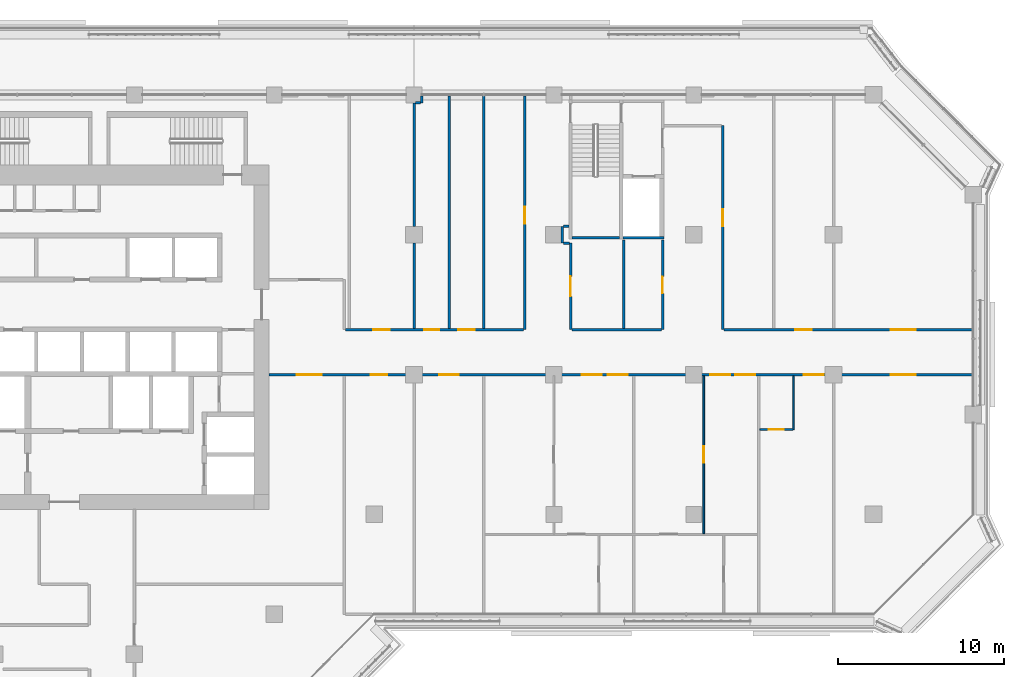
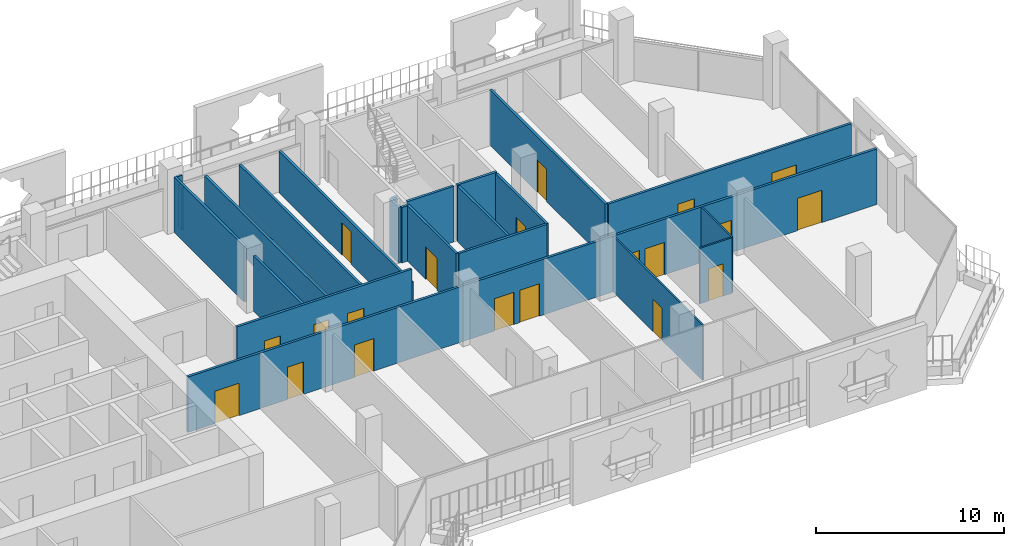
# One storey, part 13 of 22: 23 walls, 20 doors, 20 openings.
"""IFC4 building model written with IfcOpenShell, lengths in metres."""

from ifc_helpers import new_model, si_unit, direction, frame, frame_2d, origin, place, context, subcontext, project, spatial, rectangle, extrude, material, layer, layer_set, type_object, element, fill, save


model = new_model("IFC4")

# Units and contexts
model_context = context("Model", 3, precision=1e-05, world=origin(), true_north=direction((0.0, 1.0)))
body_context = subcontext(model_context, "Body", "Model", "MODEL_VIEW")
ifc_project = project(units=[si_unit("LENGTHUNIT", "METRE"), si_unit("AREAUNIT", "SQUARE_METRE"), si_unit("VOLUMEUNIT", "CUBIC_METRE"), si_unit("PLANEANGLEUNIT", "RADIAN"), si_unit("MASSUNIT", "GRAM", prefix="KILO")], contexts=[model_context])

# Site, building, storey
site_placement = place(None, origin())
site = spatial("IfcSite", under=ifc_project, at=site_placement, CompositionType="ELEMENT")
building_placement = place(site_placement, origin())
building = spatial("IfcBuilding", under=site, at=building_placement, Name="Kawkab Arch Medical Tower", CompositionType="ELEMENT")
storey_placement = place(building_placement, frame((0.0, 0.0, 183.60009765625)))
storey = spatial("IfcBuildingStorey", under=building, at=storey_placement, Name="L42", CompositionType="ELEMENT", Elevation=183.60009765625)

# Wall, opening, door
ifc_material_1 = material(Name="Gypsum board partition on steel studs", Category="steel")
ifc_layer_1 = layer(ifc_material_1, 0.10009765625)
ifc_layer_set_1 = layer_set([ifc_layer_1], Name="Gypsum board partition on steel studs")
wall_type_1 = type_object("IfcWallType", Name="Partition 100", PredefinedType="PARTITIONING", material=ifc_layer_set_1)
wall_1_placement = place(storey_placement, frame((54.375, -20.10009765625, 0.0), z_axis=(0.0, 0.0, 1.0), x_axis=(1.0, 0.0, 0.0)))
wall_1 = element("IfcWall", 1, at=wall_1_placement, inside=storey, type_object=wall_type_1, Name="Partition 100 w004", PredefinedType="PARTITIONING", context=body_context, shape_type="SweptSolid", body=[
    extrude(rectangle(XDim=1.97509765625, YDim=0.10009765625, at=frame_2d((0.987548828125, 0.0))), origin(), (0.0, 0.0, 1.0), 3.599853515625),
])
opening_1_placement = place(wall_1_placement, frame((0.52490234375, 0.0, 0.0)))
opening_1 = element("IfcOpeningElement", 2, at=opening_1_placement, cuts=wall_1, Name="Opening W42-008", PredefinedType="OPENING", context=body_context, shape_type="SweptSolid", body=[
    extrude(rectangle(XDim=0.89990234375, YDim=2.10009765625, at=frame_2d((0.449951171875, 1.050048828125))), frame((0.0, 0.06005859375, 0.0), z_axis=(0.0, -1.0, 0.0), x_axis=(1.0, 0.0, 0.0)), (0.0, 0.0, 1.0), 0.1201171875),
])
ifc_material_2 = material(Name="Timber door leaf", Category="wood")
door_type_1 = type_object("IfcDoorType", Name="Single door 900x2100", OperationType="NOTDEFINED", PredefinedType="DOOR", material=ifc_material_2)
door_1_placement = place(opening_1_placement, origin())
door_1 = element("IfcDoor", 3, at=door_1_placement, inside=storey, type_object=door_type_1, Name="Door W42-008", OperationType="SINGLE_SWING_LEFT", OverallHeight=2.10009765625, OverallWidth=0.89990234375, PredefinedType="DOOR", context=body_context, shape_type="SweptSolid", body=[
    extrude(rectangle(XDim=0.89990234375, YDim=2.10009765625, at=frame_2d((0.449951171875, 1.050048828125))), frame((0.0, 0.02490234375, 0.0), z_axis=(0.0, -1.0, 0.0), x_axis=(1.0, 0.0, 0.0)), (0.0, 0.0, 1.0), 0.050048828125),
])
fill(opening_1, door_1)

wall_2_placement = place(storey_placement, frame((51.0, -26.35009765625, 0.0), z_axis=(0.0, 0.0, 1.0), x_axis=(0.0, 1.0, 0.0)))
wall_2 = element("IfcWall", 4, at=wall_2_placement, inside=storey, type_object=wall_type_1, Name="Partition 100 w008", PredefinedType="PARTITIONING", context=body_context, shape_type="SweptSolid", body=[
    extrude(rectangle(XDim=9.47509765625, YDim=0.10009765625, at=frame_2d((4.737548828125, 0.0))), origin(), (0.0, 0.0, 1.0), 3.599853515625),
])
opening_2_placement = place(wall_2_placement, frame((4.25, 0.0, 0.0)))
opening_2 = element("IfcOpeningElement", 5, at=opening_2_placement, cuts=wall_2, Name="Opening W42-015", PredefinedType="OPENING", context=body_context, shape_type="SweptSolid", body=[
    extrude(rectangle(XDim=1.0, YDim=2.10009765625, at=frame_2d((0.5, 1.050048828125))), frame((0.0, 0.06005859375, 0.0), z_axis=(0.0, -1.0, 0.0), x_axis=(1.0, 0.0, 0.0)), (0.0, 0.0, 1.0), 0.1201171875),
])
ifc_material_3 = material(Name="Timber door leaf", Category="wood")
door_type_2 = type_object("IfcDoorType", Name="Single door 1000x2100", OperationType="NOTDEFINED", PredefinedType="DOOR", material=ifc_material_3)
door_2_placement = place(opening_2_placement, origin())
door_2 = element("IfcDoor", 6, at=door_2_placement, inside=storey, type_object=door_type_2, Name="Door W42-015", OperationType="SINGLE_SWING_RIGHT", OverallHeight=2.10009765625, OverallWidth=1.0, PredefinedType="DOOR", context=body_context, shape_type="SweptSolid", body=[
    extrude(rectangle(XDim=1.0, YDim=2.10009765625, at=frame_2d((0.5, 1.050048828125))), frame((0.0, 0.02490234375, 0.0), z_axis=(0.0, -1.0, 0.0), x_axis=(1.0, 0.0, 0.0)), (0.0, 0.0, 1.0), 0.050048828125),
])
fill(opening_2, door_2)

# Wall
wall_3_placement = place(storey_placement, frame((56.39990234375, -20.10009765625, 0.0), z_axis=(0.0, 0.0, 1.0), x_axis=(0.0, 1.0, 0.0)))
element("IfcWall", 7, at=wall_3_placement, inside=storey, type_object=wall_type_1, Name="Partition 100 w010", PredefinedType="PARTITIONING", context=body_context, shape_type="SweptSolid", body=[
    extrude(rectangle(XDim=3.22509765625, YDim=0.10009765625, at=frame_2d((1.612548828125, 0.0))), origin(), (0.0, 0.0, 1.0), 3.599853515625),
])

# Wall, openings, doors
ifc_material_4 = material(Name="Gypsum board partition on steel studs, mineral wool", Category="steel")
ifc_layer_2 = layer(ifc_material_4, 0.14990234375)
ifc_layer_set_2 = layer_set([ifc_layer_2], Name="Gypsum board partition on steel studs, mineral wool")
wall_type_2 = type_object("IfcWallType", Name="Partition 150", PredefinedType="PARTITIONING", material=ifc_layer_set_2)
wall_4_placement = place(storey_placement, frame((24.89990234375, -16.800048828125, 0.0), z_axis=(0.0, 0.0, 1.0), x_axis=(1.0, 0.0, 0.0)))
wall_4 = element("IfcWall", 8, at=wall_4_placement, inside=storey, type_object=wall_type_2, Name="Partition 150 w022", PredefinedType="PARTITIONING", context=body_context, shape_type="SweptSolid", body=[
    extrude(rectangle(XDim=42.22021484375, YDim=0.14990234375, at=frame_2d((21.110107421875, 0.0))), origin(), (0.0, 0.0, 1.0), 3.599853515625),
])
opening_3_placement = place(wall_4_placement, frame((1.64990234375, 0.0, 0.0)))
opening_3 = element("IfcOpeningElement", 9, at=opening_3_placement, cuts=wall_4, Name="Opening W42-001", PredefinedType="OPENING", context=body_context, shape_type="SweptSolid", body=[
    extrude(rectangle(XDim=1.5, YDim=2.10009765625, at=frame_2d((0.75, 1.050048828125))), frame((0.0, 0.0849609375, 0.0), z_axis=(0.0, -1.0, 0.0), x_axis=(1.0, 0.0, 0.0)), (0.0, 0.0, 1.0), 0.169921875),
])
opening_4_placement = place(wall_4_placement, frame((6.10009765625, 0.0, 0.0)))
opening_4 = element("IfcOpeningElement", 10, at=opening_4_placement, cuts=wall_4, Name="Opening W42-022", PredefinedType="OPENING", context=body_context, shape_type="SweptSolid", body=[
    extrude(rectangle(XDim=1.0, YDim=2.10009765625, at=frame_2d((0.5, 1.050048828125))), frame((0.0, 0.0849609375, 0.0), z_axis=(0.0, -1.0, 0.0), x_axis=(1.0, 0.0, 0.0)), (0.0, 0.0, 1.0), 0.169921875),
])
opening_5_placement = place(wall_4_placement, frame((10.199951171875, 0.0, 0.0)))
opening_5 = element("IfcOpeningElement", 11, at=opening_5_placement, cuts=wall_4, Name="Opening W42-028", PredefinedType="OPENING", context=body_context, shape_type="SweptSolid", body=[
    extrude(rectangle(XDim=1.199951171875, YDim=2.10009765625, at=frame_2d((0.60009765625, 1.050048828125))), frame((0.0, 0.0849609375, 0.0), z_axis=(0.0, -1.0, 0.0), x_axis=(1.0, 0.0, 0.0)), (0.0, 0.0, 1.0), 0.169921875),
])
opening_6_placement = place(wall_4_placement, frame((20.340087890625, 0.0, 0.0)))
opening_6 = element("IfcOpeningElement", 12, at=opening_6_placement, cuts=wall_4, Name="Opening W42-029", PredefinedType="OPENING", context=body_context, shape_type="SweptSolid", body=[
    extrude(rectangle(XDim=1.199951171875, YDim=2.10009765625, at=frame_2d((0.60009765625, 1.050048828125))), frame((0.0, 0.0849609375, 0.0), z_axis=(0.0, -1.0, 0.0), x_axis=(1.0, 0.0, 0.0)), (0.0, 0.0, 1.0), 0.169921875),
])
opening_7_placement = place(wall_4_placement, frame((18.780029296875, 0.0, 0.0)))
opening_7 = element("IfcOpeningElement", 13, at=opening_7_placement, cuts=wall_4, Name="Opening W42-030", PredefinedType="OPENING", context=body_context, shape_type="SweptSolid", body=[
    extrude(rectangle(XDim=1.199951171875, YDim=2.10009765625, at=frame_2d((0.60009765625, 1.050048828125))), frame((0.0, 0.0849609375, 0.0), z_axis=(0.0, -1.0, 0.0), x_axis=(1.0, 0.0, 0.0)), (0.0, 0.0, 1.0), 0.169921875),
])
opening_8_placement = place(wall_4_placement, frame((28.0, 0.0, 0.0)))
opening_8 = element("IfcOpeningElement", 14, at=opening_8_placement, cuts=wall_4, Name="Opening W42-031", PredefinedType="OPENING", context=body_context, shape_type="SweptSolid", body=[
    extrude(rectangle(XDim=1.199951171875, YDim=2.10009765625, at=frame_2d((0.60009765625, 1.050048828125))), frame((0.0, 0.0849609375, 0.0), z_axis=(0.0, -1.0, 0.0), x_axis=(1.0, 0.0, 0.0)), (0.0, 0.0, 1.0), 0.169921875),
])
opening_9_placement = place(wall_4_placement, frame((26.47998046875, 0.0, 0.0)))
opening_9 = element("IfcOpeningElement", 15, at=opening_9_placement, cuts=wall_4, Name="Opening W42-032", PredefinedType="OPENING", context=body_context, shape_type="SweptSolid", body=[
    extrude(rectangle(XDim=1.199951171875, YDim=2.10009765625, at=frame_2d((0.60009765625, 1.050048828125))), frame((0.0, 0.0849609375, 0.0), z_axis=(0.0, -1.0, 0.0), x_axis=(1.0, 0.0, 0.0)), (0.0, 0.0, 1.0), 0.169921875),
])
opening_10_placement = place(wall_4_placement, frame((32.10009765625, 0.0, 0.0)))
opening_10 = element("IfcOpeningElement", 16, at=opening_10_placement, cuts=wall_4, Name="Opening W42-033", PredefinedType="OPENING", context=body_context, shape_type="SweptSolid", body=[
    extrude(rectangle(XDim=1.199951171875, YDim=2.10009765625, at=frame_2d((0.60009765625, 1.050048828125))), frame((0.0, 0.0849609375, 0.0), z_axis=(0.0, -1.0, 0.0), x_axis=(1.0, 0.0, 0.0)), (0.0, 0.0, 1.0), 0.169921875),
])
opening_11_placement = place(wall_4_placement, frame((37.35009765625, 0.0, 0.0)))
opening_11 = element("IfcOpeningElement", 17, at=opening_11_placement, cuts=wall_4, Name="Opening W42-003", PredefinedType="OPENING", context=body_context, shape_type="SweptSolid", body=[
    extrude(rectangle(XDim=1.5, YDim=2.10009765625, at=frame_2d((0.75, 1.050048828125))), frame((0.0, 0.0849609375, 0.0), z_axis=(0.0, -1.0, 0.0), x_axis=(1.0, 0.0, 0.0)), (0.0, 0.0, 1.0), 0.169921875),
])
ifc_material_5 = material(Name="Hollow metal door leaf")
door_type_3 = type_object("IfcDoorType", Name="Double door 1500x2100 FD30S", OperationType="NOTDEFINED", PredefinedType="DOOR", material=ifc_material_5)
door_3_placement = place(opening_3_placement, origin())
door_3 = element("IfcDoor", 18, at=door_3_placement, inside=storey, type_object=door_type_3, Name="Door W42-001", OperationType="DOUBLE_DOOR_SINGLE_SWING", OverallHeight=2.10009765625, OverallWidth=1.5, PredefinedType="DOOR", context=body_context, shape_type="SweptSolid", body=[
    extrude(rectangle(XDim=1.5, YDim=2.10009765625, at=frame_2d((0.75, 1.050048828125))), frame((0.0, 0.02490234375, 0.0), z_axis=(0.0, -1.0, 0.0), x_axis=(1.0, 0.0, 0.0)), (0.0, 0.0, 1.0), 0.050048828125),
])
fill(opening_3, door_3)
door_4_placement = place(opening_11_placement, origin())
door_4 = element("IfcDoor", 19, at=door_4_placement, inside=storey, type_object=door_type_3, Name="Door W42-003", OperationType="DOUBLE_DOOR_SINGLE_SWING", OverallHeight=2.10009765625, OverallWidth=1.5, PredefinedType="DOOR", context=body_context, shape_type="SweptSolid", body=[
    extrude(rectangle(XDim=1.5, YDim=2.10009765625, at=frame_2d((0.75, 1.050048828125))), frame((0.0, 0.02490234375, 0.0), z_axis=(0.0, -1.0, 0.0), x_axis=(1.0, 0.0, 0.0)), (0.0, 0.0, 1.0), 0.050048828125),
])
fill(opening_11, door_4)
ifc_material_6 = material(Name="Hollow metal door leaf")
door_type_4 = type_object("IfcDoorType", Name="Single door 1000x2100 FD30S", OperationType="NOTDEFINED", PredefinedType="DOOR", material=ifc_material_6)
door_5_placement = place(opening_4_placement, origin())
door_5 = element("IfcDoor", 20, at=door_5_placement, inside=storey, type_object=door_type_4, Name="Door W42-022", OperationType="SINGLE_SWING_RIGHT", OverallHeight=2.10009765625, OverallWidth=1.0, PredefinedType="DOOR", context=body_context, shape_type="SweptSolid", body=[
    extrude(rectangle(XDim=1.0, YDim=2.10009765625, at=frame_2d((0.5, 1.050048828125))), frame((0.0, 0.02490234375, 0.0), z_axis=(0.0, -1.0, 0.0), x_axis=(1.0, 0.0, 0.0)), (0.0, 0.0, 1.0), 0.050048828125),
])
fill(opening_4, door_5)
ifc_material_7 = material(Name="Hollow metal door leaf")
door_type_5 = type_object("IfcDoorType", Name="Single door 1200x2100 FD30S", OperationType="NOTDEFINED", PredefinedType="DOOR", material=ifc_material_7)
door_6_placement = place(opening_5_placement, origin())
door_6 = element("IfcDoor", 21, at=door_6_placement, inside=storey, type_object=door_type_5, Name="Door W42-028", OperationType="SINGLE_SWING_RIGHT", OverallHeight=2.10009765625, OverallWidth=1.199951171875, PredefinedType="DOOR", context=body_context, shape_type="SweptSolid", body=[
    extrude(rectangle(XDim=1.199951171875, YDim=2.10009765625, at=frame_2d((0.60009765625, 1.050048828125))), frame((0.0, 0.02490234375, 0.0), z_axis=(0.0, -1.0, 0.0), x_axis=(1.0, 0.0, 0.0)), (0.0, 0.0, 1.0), 0.050048828125),
])
fill(opening_5, door_6)
door_7_placement = place(opening_6_placement, origin())
door_7 = element("IfcDoor", 22, at=door_7_placement, inside=storey, type_object=door_type_5, Name="Door W42-029", OperationType="SINGLE_SWING_RIGHT", OverallHeight=2.10009765625, OverallWidth=1.199951171875, PredefinedType="DOOR", context=body_context, shape_type="SweptSolid", body=[
    extrude(rectangle(XDim=1.199951171875, YDim=2.10009765625, at=frame_2d((0.60009765625, 1.050048828125))), frame((0.0, 0.02490234375, 0.0), z_axis=(0.0, -1.0, 0.0), x_axis=(1.0, 0.0, 0.0)), (0.0, 0.0, 1.0), 0.050048828125),
])
fill(opening_6, door_7)
door_8_placement = place(opening_7_placement, origin())
door_8 = element("IfcDoor", 23, at=door_8_placement, inside=storey, type_object=door_type_5, Name="Door W42-030", OperationType="SINGLE_SWING_RIGHT", OverallHeight=2.10009765625, OverallWidth=1.199951171875, PredefinedType="DOOR", context=body_context, shape_type="SweptSolid", body=[
    extrude(rectangle(XDim=1.199951171875, YDim=2.10009765625, at=frame_2d((0.60009765625, 1.050048828125))), frame((0.0, 0.02490234375, 0.0), z_axis=(0.0, -1.0, 0.0), x_axis=(1.0, 0.0, 0.0)), (0.0, 0.0, 1.0), 0.050048828125),
])
fill(opening_7, door_8)
door_9_placement = place(opening_8_placement, origin())
door_9 = element("IfcDoor", 24, at=door_9_placement, inside=storey, type_object=door_type_5, Name="Door W42-031", OperationType="SINGLE_SWING_LEFT", OverallHeight=2.10009765625, OverallWidth=1.199951171875, PredefinedType="DOOR", context=body_context, shape_type="SweptSolid", body=[
    extrude(rectangle(XDim=1.199951171875, YDim=2.10009765625, at=frame_2d((0.60009765625, 1.050048828125))), frame((0.0, 0.02490234375, 0.0), z_axis=(0.0, -1.0, 0.0), x_axis=(1.0, 0.0, 0.0)), (0.0, 0.0, 1.0), 0.050048828125),
])
fill(opening_8, door_9)
door_10_placement = place(opening_9_placement, origin())
door_10 = element("IfcDoor", 25, at=door_10_placement, inside=storey, type_object=door_type_5, Name="Door W42-032", OperationType="SINGLE_SWING_LEFT", OverallHeight=2.10009765625, OverallWidth=1.199951171875, PredefinedType="DOOR", context=body_context, shape_type="SweptSolid", body=[
    extrude(rectangle(XDim=1.199951171875, YDim=2.10009765625, at=frame_2d((0.60009765625, 1.050048828125))), frame((0.0, 0.02490234375, 0.0), z_axis=(0.0, -1.0, 0.0), x_axis=(1.0, 0.0, 0.0)), (0.0, 0.0, 1.0), 0.050048828125),
])
fill(opening_9, door_10)
door_11_placement = place(opening_10_placement, origin())
door_11 = element("IfcDoor", 26, at=door_11_placement, inside=storey, type_object=door_type_5, Name="Door W42-033", OperationType="SINGLE_SWING_LEFT", OverallHeight=2.10009765625, OverallWidth=1.199951171875, PredefinedType="DOOR", context=body_context, shape_type="SweptSolid", body=[
    extrude(rectangle(XDim=1.199951171875, YDim=2.10009765625, at=frame_2d((0.60009765625, 1.050048828125))), frame((0.0, 0.02490234375, 0.0), z_axis=(0.0, -1.0, 0.0), x_axis=(1.0, 0.0, 0.0)), (0.0, 0.0, 1.0), 0.050048828125),
])
fill(opening_10, door_11)

wall_5_placement = place(storey_placement, frame((29.47509765625, -14.10009765625, 0.0), z_axis=(0.0, 0.0, 1.0), x_axis=(1.0, 0.0, 0.0)))
wall_5 = element("IfcWall", 27, at=wall_5_placement, inside=storey, type_object=wall_type_2, Name="Partition 150 w024", PredefinedType="PARTITIONING", context=body_context, shape_type="SweptSolid", body=[
    extrude(rectangle(XDim=10.706787109375, YDim=0.14990234375, at=frame_2d((5.353515625, 0.0))), origin(), (0.0, 0.0, 1.0), 3.599853515625),
])
opening_12_placement = place(wall_5_placement, frame((1.675048828125, 0.0, 0.0)))
opening_12 = element("IfcOpeningElement", 28, at=opening_12_placement, cuts=wall_5, Name="Opening W42-019", PredefinedType="OPENING", context=body_context, shape_type="SweptSolid", body=[
    extrude(rectangle(XDim=1.0, YDim=2.10009765625, at=frame_2d((0.5, 1.050048828125))), frame((0.0, 0.0849609375, 0.0), z_axis=(0.0, -1.0, 0.0), x_axis=(1.0, 0.0, 0.0)), (0.0, 0.0, 1.0), 0.169921875),
])
opening_13_placement = place(wall_5_placement, frame((4.72509765625, 0.0, 0.0)))
opening_13 = element("IfcOpeningElement", 29, at=opening_13_placement, cuts=wall_5, Name="Opening W42-010", PredefinedType="OPENING", context=body_context, shape_type="SweptSolid", body=[
    extrude(rectangle(XDim=0.89990234375, YDim=2.10009765625, at=frame_2d((0.449951171875, 1.050048828125))), frame((0.0, 0.0849609375, 0.0), z_axis=(0.0, -1.0, 0.0), x_axis=(1.0, 0.0, 0.0)), (0.0, 0.0, 1.0), 0.169921875),
])
opening_14_placement = place(wall_5_placement, frame((6.77490234375, 0.0, 0.0)))
opening_14 = element("IfcOpeningElement", 30, at=opening_14_placement, cuts=wall_5, Name="Opening W42-018", PredefinedType="OPENING", context=body_context, shape_type="SweptSolid", body=[
    extrude(rectangle(XDim=1.0, YDim=2.10009765625, at=frame_2d((0.5, 1.050048828125))), frame((0.0, 0.0849609375, 0.0), z_axis=(0.0, -1.0, 0.0), x_axis=(1.0, 0.0, 0.0)), (0.0, 0.0, 1.0), 0.169921875),
])
door_12_placement = place(opening_14_placement, origin())
door_12 = element("IfcDoor", 31, at=door_12_placement, inside=storey, type_object=door_type_2, Name="Door W42-018", OperationType="SINGLE_SWING_RIGHT", OverallHeight=2.10009765625, OverallWidth=1.0, PredefinedType="DOOR", context=body_context, shape_type="SweptSolid", body=[
    extrude(rectangle(XDim=1.0, YDim=2.10009765625, at=frame_2d((0.5, 1.050048828125))), frame((0.0, 0.02490234375, 0.0), z_axis=(0.0, -1.0, 0.0), x_axis=(1.0, 0.0, 0.0)), (0.0, 0.0, 1.0), 0.050048828125),
])
fill(opening_14, door_12)
door_13_placement = place(opening_12_placement, origin())
door_13 = element("IfcDoor", 32, at=door_13_placement, inside=storey, type_object=door_type_4, Name="Door W42-019", OperationType="SINGLE_SWING_LEFT", OverallHeight=2.10009765625, OverallWidth=1.0, PredefinedType="DOOR", context=body_context, shape_type="SweptSolid", body=[
    extrude(rectangle(XDim=1.0, YDim=2.10009765625, at=frame_2d((0.5, 1.050048828125))), frame((0.0, 0.02490234375, 0.0), z_axis=(0.0, -1.0, 0.0), x_axis=(1.0, 0.0, 0.0)), (0.0, 0.0, 1.0), 0.050048828125),
])
fill(opening_12, door_13)
door_14_placement = place(opening_13_placement, origin())
door_14 = element("IfcDoor", 33, at=door_14_placement, inside=storey, type_object=door_type_1, Name="Door W42-010", OperationType="SINGLE_SWING_RIGHT", OverallHeight=2.10009765625, OverallWidth=0.89990234375, PredefinedType="DOOR", context=body_context, shape_type="SweptSolid", body=[
    extrude(rectangle(XDim=0.89990234375, YDim=2.10009765625, at=frame_2d((0.449951171875, 1.050048828125))), frame((0.0, 0.02490234375, 0.0), z_axis=(0.0, -1.0, 0.0), x_axis=(1.0, 0.0, 0.0)), (0.0, 0.0, 1.0), 0.050048828125),
])
fill(opening_13, door_14)

# Wall
wall_6_placement = place(storey_placement, frame((43.074951171875, -14.10009765625, 0.0), z_axis=(0.0, 0.0, 1.0), x_axis=(1.0, 0.0, 0.0)))
element("IfcWall", 34, at=wall_6_placement, inside=storey, type_object=wall_type_2, Name="Partition 150 w025", PredefinedType="PARTITIONING", context=body_context, shape_type="SweptSolid", body=[
    extrude(rectangle(XDim=5.375, YDim=0.14990234375, at=frame_2d((2.6875, 0.0))), origin(), (0.0, 0.0, 1.0), 3.599853515625),
])

# Wall, openings, doors
wall_7_placement = place(storey_placement, frame((52.218017578125, -14.10009765625, 0.0), z_axis=(0.0, 0.0, 1.0), x_axis=(1.0, 0.0, 0.0)))
wall_7 = element("IfcWall", 35, at=wall_7_placement, inside=storey, type_object=wall_type_2, Name="Partition 150 w026", PredefinedType="PARTITIONING", context=body_context, shape_type="SweptSolid", body=[
    extrude(rectangle(XDim=14.902099609375, YDim=0.14990234375, at=frame_2d((7.451171875, 0.0))), origin(), (0.0, 0.0, 1.0), 3.599853515625),
])
opening_15_placement = place(wall_7_placement, frame((4.281982421875, 0.0, 0.0)))
opening_15 = element("IfcOpeningElement", 36, at=opening_15_placement, cuts=wall_7, Name="Opening W42-021", PredefinedType="OPENING", context=body_context, shape_type="SweptSolid", body=[
    extrude(rectangle(XDim=1.0, YDim=2.10009765625, at=frame_2d((0.5, 1.050048828125))), frame((0.0, 0.0849609375, 0.0), z_axis=(0.0, -1.0, 0.0), x_axis=(1.0, 0.0, 0.0)), (0.0, 0.0, 1.0), 0.169921875),
])
opening_16_placement = place(wall_7_placement, frame((10.031982421875, 0.0, 0.0)))
opening_16 = element("IfcOpeningElement", 37, at=opening_16_placement, cuts=wall_7, Name="Opening W42-002", PredefinedType="OPENING", context=body_context, shape_type="SweptSolid", body=[
    extrude(rectangle(XDim=1.5, YDim=2.10009765625, at=frame_2d((0.75, 1.050048828125))), frame((0.0, 0.0849609375, 0.0), z_axis=(0.0, -1.0, 0.0), x_axis=(1.0, 0.0, 0.0)), (0.0, 0.0, 1.0), 0.169921875),
])
door_15_placement = place(opening_16_placement, origin())
door_15 = element("IfcDoor", 38, at=door_15_placement, inside=storey, type_object=door_type_3, Name="Door W42-002", OperationType="DOUBLE_DOOR_SINGLE_SWING", OverallHeight=2.10009765625, OverallWidth=1.5, PredefinedType="DOOR", context=body_context, shape_type="SweptSolid", body=[
    extrude(rectangle(XDim=1.5, YDim=2.10009765625, at=frame_2d((0.75, 1.050048828125))), frame((0.0, 0.02490234375, 0.0), z_axis=(0.0, -1.0, 0.0), x_axis=(1.0, 0.0, 0.0)), (0.0, 0.0, 1.0), 0.050048828125),
])
fill(opening_16, door_15)
door_16_placement = place(opening_15_placement, origin())
door_16 = element("IfcDoor", 39, at=door_16_placement, inside=storey, type_object=door_type_4, Name="Door W42-021", OperationType="SINGLE_SWING_LEFT", OverallHeight=2.10009765625, OverallWidth=1.0, PredefinedType="DOOR", context=body_context, shape_type="SweptSolid", body=[
    extrude(rectangle(XDim=1.0, YDim=2.10009765625, at=frame_2d((0.5, 1.050048828125))), frame((0.0, 0.02490234375, 0.0), z_axis=(0.0, -1.0, 0.0), x_axis=(1.0, 0.0, 0.0)), (0.0, 0.0, 1.0), 0.050048828125),
])
fill(opening_15, door_16)

# Walls
wall_8_placement = place(storey_placement, frame((42.576904296875, -8.89990234375, 0.0), z_axis=(0.0, 0.0, 1.0), x_axis=(1.0, 0.0, 0.0)))
element("IfcWall", 40, at=wall_8_placement, inside=storey, type_object=wall_type_2, Name="Partition 150 w028", PredefinedType="PARTITIONING", context=body_context, shape_type="SweptSolid", body=[
    extrude(rectangle(XDim=0.34814453125, YDim=0.14990234375, at=frame_2d((0.174072265625, 0.0))), origin(), (0.0, 0.0, 1.0), 3.599853515625),
])
wall_9_placement = place(storey_placement, frame((42.576904296875, -7.89990234375, 0.0), z_axis=(0.0, 0.0, 1.0), x_axis=(1.0, 0.0, 0.0)))
element("IfcWall", 41, at=wall_9_placement, inside=storey, type_object=wall_type_2, Name="Partition 150 w029", PredefinedType="PARTITIONING", context=body_context, shape_type="SweptSolid", body=[
    extrude(rectangle(XDim=0.322998046875, YDim=0.14990234375, at=frame_2d((0.16162109375, 0.0))), origin(), (0.0, 0.0, 1.0), 3.599853515625),
])
wall_10_placement = place(storey_placement, frame((33.677001953125, -0.47509765625, 0.0), z_axis=(0.0, 0.0, 1.0), x_axis=(1.0, 0.0, 0.0)))
element("IfcWall", 42, at=wall_10_placement, inside=storey, type_object=wall_type_2, Name="Partition 150 w031", PredefinedType="PARTITIONING", context=body_context, shape_type="SweptSolid", body=[
    extrude(rectangle(XDim=0.321044921875, YDim=0.14990234375, at=frame_2d((0.16064453125, 0.0))), origin(), (0.0, 0.0, 1.0), 3.599853515625),
])
wall_11_placement = place(storey_placement, frame((33.60009765625, -14.02490234375, 0.0), z_axis=(0.0, 0.0, 1.0), x_axis=(0.0, 1.0, 0.0)))
element("IfcWall", 43, at=wall_11_placement, inside=storey, type_object=wall_type_2, Name="Partition 150 w044", PredefinedType="PARTITIONING", context=body_context, shape_type="SweptSolid", body=[
    extrude(rectangle(XDim=5.125, YDim=0.14990234375, at=frame_2d((2.5625, 0.0))), origin(), (0.0, 0.0, 1.0), 3.599853515625),
])
wall_12_placement = place(storey_placement, frame((33.60009765625, -7.89990234375, 0.0), z_axis=(0.0, 0.0, 1.0), x_axis=(0.0, 1.0, 0.0)))
element("IfcWall", 44, at=wall_12_placement, inside=storey, type_object=wall_type_2, Name="Partition 150 w045", PredefinedType="PARTITIONING", context=body_context, shape_type="SweptSolid", body=[
    extrude(rectangle(XDim=7.4228515625, YDim=0.14990234375, at=frame_2d((3.71142578125, 0.0))), origin(), (0.0, 0.0, 1.0), 3.599853515625),
])
wall_13_placement = place(storey_placement, frame((34.074951171875, -0.472900390625, 0.0), z_axis=(0.0, 0.0, 1.0), x_axis=(0.0, 1.0, 0.0)))
element("IfcWall", 45, at=wall_13_placement, inside=storey, type_object=wall_type_2, Name="Partition 150 w046", PredefinedType="PARTITIONING", context=body_context, shape_type="SweptSolid", body=[
    extrude(rectangle(XDim=0.392822265625, YDim=0.14990234375, at=frame_2d((0.1962890625, 0.0))), origin(), (0.0, 0.0, 1.0), 2.699951171875),
])
for number, where, z_axis, x_axis, name in (
    (46, (35.699951171875, -14.02490234375, 0.0), (0.0, 0.0, 1.0), (0.0, 1.0, 0.0), "Partition 150 w047"),
    (47, (37.800048828125, -14.02490234375, 0.0), (0.0, 0.0, 1.0), (0.0, 1.0, 0.0), "Partition 150 w049"),
):
    element("IfcWall", number, at=place(storey_placement, frame(where, z_axis=z_axis, x_axis=x_axis)), inside=storey, type_object=wall_type_2, Name=name, PredefinedType="PARTITIONING", context=body_context, shape_type="SweptSolid", body=[
        extrude(rectangle(XDim=13.94482421875, YDim=0.14990234375, at=frame_2d((6.972412109375, 0.0))), origin(), (0.0, 0.0, 1.0), 2.699951171875),
    ])

# Wall, opening, door
wall_14_placement = place(storey_placement, frame((40.257080078125, -14.10009765625, 0.0), z_axis=(0.0, 0.0, 1.0), x_axis=(0.0, 1.0, 0.0)))
wall_14 = element("IfcWall", 48, at=wall_14_placement, inside=storey, type_object=wall_type_2, Name="Partition 150 w050", PredefinedType="PARTITIONING", context=body_context, shape_type="SweptSolid", body=[
    extrude(rectangle(XDim=14.02001953125, YDim=0.14990234375, at=frame_2d((7.010009765625, 0.0))), origin(), (0.0, 0.0, 1.0), 2.699951171875),
])
opening_17_placement = place(wall_14_placement, frame((6.3740234375, 0.0, 0.0)))
opening_17 = element("IfcOpeningElement", 49, at=opening_17_placement, cuts=wall_14, Name="Opening W42-024", PredefinedType="OPENING", context=body_context, shape_type="SweptSolid", body=[
    extrude(rectangle(XDim=1.0, YDim=2.10009765625, at=frame_2d((0.5, 1.050048828125))), frame((0.0, 0.0849609375, 0.0), z_axis=(0.0, -1.0, 0.0), x_axis=(1.0, 0.0, 0.0)), (0.0, 0.0, 1.0), 0.169921875),
])
door_17_placement = place(opening_17_placement, origin())
door_17 = element("IfcDoor", 50, at=door_17_placement, inside=storey, type_object=door_type_4, Name="Door W42-024", OperationType="SINGLE_SWING_RIGHT", OverallHeight=2.10009765625, OverallWidth=1.0, PredefinedType="DOOR", context=body_context, shape_type="SweptSolid", body=[
    extrude(rectangle(XDim=1.0, YDim=2.10009765625, at=frame_2d((0.5, 1.050048828125))), frame((0.0, 0.02490234375, 0.0), z_axis=(0.0, -1.0, 0.0), x_axis=(1.0, 0.0, 0.0)), (0.0, 0.0, 1.0), 0.050048828125),
])
fill(opening_17, door_17)

# Wall
wall_15_placement = place(storey_placement, frame((42.5, -8.89892578125, 0.0), z_axis=(0.0, 0.0, 1.0), x_axis=(0.0, 1.0, 0.0)))
element("IfcWall", 51, at=wall_15_placement, inside=storey, type_object=wall_type_2, Name="Partition 150 w051", PredefinedType="PARTITIONING", context=body_context, shape_type="SweptSolid", body=[
    extrude(rectangle(XDim=0.996826171875, YDim=0.14990234375, at=frame_2d((0.49853515625, 0.0))), origin(), (0.0, 0.0, 1.0), 3.599853515625),
])

# Wall, opening, door
wall_16_placement = place(storey_placement, frame((43.0, -14.10009765625, 0.0), z_axis=(0.0, 0.0, 1.0), x_axis=(0.0, 1.0, 0.0)))
wall_16 = element("IfcWall", 52, at=wall_16_placement, inside=storey, type_object=wall_type_2, Name="Partition 150 w052", PredefinedType="PARTITIONING", context=body_context, shape_type="SweptSolid", body=[
    extrude(rectangle(XDim=5.2001953125, YDim=0.14990234375, at=frame_2d((2.60009765625, 0.0))), origin(), (0.0, 0.0, 1.0), 3.599853515625),
])
opening_18_placement = place(wall_16_placement, frame((2.0, 0.0, 0.0)))
opening_18 = element("IfcOpeningElement", 53, at=opening_18_placement, cuts=wall_16, Name="Opening W42-027", PredefinedType="OPENING", context=body_context, shape_type="SweptSolid", body=[
    extrude(rectangle(XDim=1.199951171875, YDim=2.10009765625, at=frame_2d((0.60009765625, 1.050048828125))), frame((0.0, 0.0849609375, 0.0), z_axis=(0.0, -1.0, 0.0), x_axis=(1.0, 0.0, 0.0)), (0.0, 0.0, 1.0), 0.169921875),
])
door_18_placement = place(opening_18_placement, origin())
door_18 = element("IfcDoor", 54, at=door_18_placement, inside=storey, type_object=door_type_5, Name="Door W42-027", OperationType="SINGLE_SWING_RIGHT", OverallHeight=2.10009765625, OverallWidth=1.199951171875, PredefinedType="DOOR", context=body_context, shape_type="SweptSolid", body=[
    extrude(rectangle(XDim=1.199951171875, YDim=2.10009765625, at=frame_2d((0.60009765625, 1.050048828125))), frame((0.0, 0.02490234375, 0.0), z_axis=(0.0, -1.0, 0.0), x_axis=(1.0, 0.0, 0.0)), (0.0, 0.0, 1.0), 0.050048828125),
])
fill(opening_18, door_18)

# Wall
wall_17_placement = place(storey_placement, frame((46.199951171875, -14.02490234375, 0.0), z_axis=(0.0, 0.0, 1.0), x_axis=(0.0, 1.0, 0.0)))
element("IfcWall", 55, at=wall_17_placement, inside=storey, type_object=wall_type_2, Name="Partition 150 w054", PredefinedType="PARTITIONING", context=body_context, shape_type="SweptSolid", body=[
    extrude(rectangle(XDim=5.294921875, YDim=0.14990234375, at=frame_2d((2.6474609375, 0.0))), origin(), (0.0, 0.0, 1.0), 3.599853515625),
])

# Wall, opening, door
wall_18_placement = place(storey_placement, frame((48.52490234375, -14.10009765625, 0.0), z_axis=(0.0, 0.0, 1.0), x_axis=(0.0, 1.0, 0.0)))
wall_18 = element("IfcWall", 56, at=wall_18_placement, inside=storey, type_object=wall_type_2, Name="Partition 150 w056", PredefinedType="PARTITIONING", context=body_context, shape_type="SweptSolid", body=[
    extrude(rectangle(XDim=5.3701171875, YDim=0.14990234375, at=frame_2d((2.68505859375, 0.0))), origin(), (0.0, 0.0, 1.0), 3.599853515625),
])
opening_19_placement = place(wall_18_placement, frame((2.18505859375, 0.0, 0.0)))
opening_19 = element("IfcOpeningElement", 57, at=opening_19_placement, cuts=wall_18, Name="Opening W42-025", PredefinedType="OPENING", context=body_context, shape_type="SweptSolid", body=[
    extrude(rectangle(XDim=1.0, YDim=2.10009765625, at=frame_2d((0.5, 1.050048828125))), frame((0.0, 0.0849609375, 0.0), z_axis=(0.0, -1.0, 0.0), x_axis=(1.0, 0.0, 0.0)), (0.0, 0.0, 1.0), 0.169921875),
])
door_19_placement = place(opening_19_placement, origin())
door_19 = element("IfcDoor", 58, at=door_19_placement, inside=storey, type_object=door_type_4, Name="Door W42-025", OperationType="SINGLE_SWING_LEFT", OverallHeight=2.10009765625, OverallWidth=1.0, PredefinedType="DOOR", context=body_context, shape_type="SweptSolid", body=[
    extrude(rectangle(XDim=1.0, YDim=2.10009765625, at=frame_2d((0.5, 1.050048828125))), frame((0.0, 0.02490234375, 0.0), z_axis=(0.0, -1.0, 0.0), x_axis=(1.0, 0.0, 0.0)), (0.0, 0.0, 1.0), 0.050048828125),
])
fill(opening_19, door_19)

wall_19_placement = place(storey_placement, frame((52.14306640625, -14.10009765625, 0.0), z_axis=(0.0, 0.0, 1.0), x_axis=(0.0, 1.0, 0.0)))
wall_19 = element("IfcWall", 59, at=wall_19_placement, inside=storey, type_object=wall_type_2, Name="Partition 150 w057", PredefinedType="PARTITIONING", context=body_context, shape_type="SweptSolid", body=[
    extrude(rectangle(XDim=12.2490234375, YDim=0.14990234375, at=frame_2d((6.12451171875, 0.0))), origin(), (0.0, 0.0, 1.0), 3.599853515625),
])
opening_20_placement = place(wall_19_placement, frame((6.22412109375, 0.0, 0.0)))
opening_20 = element("IfcOpeningElement", 60, at=opening_20_placement, cuts=wall_19, Name="Opening W42-020", PredefinedType="OPENING", context=body_context, shape_type="SweptSolid", body=[
    extrude(rectangle(XDim=1.0, YDim=2.10009765625, at=frame_2d((0.5, 1.050048828125))), frame((0.0, 0.0849609375, 0.0), z_axis=(0.0, -1.0, 0.0), x_axis=(1.0, 0.0, 0.0)), (0.0, 0.0, 1.0), 0.169921875),
])
door_20_placement = place(opening_20_placement, origin())
door_20 = element("IfcDoor", 61, at=door_20_placement, inside=storey, type_object=door_type_4, Name="Door W42-020", OperationType="SINGLE_SWING_LEFT", OverallHeight=2.10009765625, OverallWidth=1.0, PredefinedType="DOOR", context=body_context, shape_type="SweptSolid", body=[
    extrude(rectangle(XDim=1.0, YDim=2.10009765625, at=frame_2d((0.5, 1.050048828125))), frame((0.0, 0.02490234375, 0.0), z_axis=(0.0, -1.0, 0.0), x_axis=(1.0, 0.0, 0.0)), (0.0, 0.0, 1.0), 0.050048828125),
])
fill(opening_20, door_20)

# Walls
ifc_material_8 = material(Name="Concrete C50/60", Category="concrete")
ifc_layer_3 = layer(ifc_material_8, 0.14990234375)
ifc_layer_set_3 = layer_set([ifc_layer_3], Name="Concrete C50/60")
wall_type_3 = type_object("IfcWallType", Name="Stair enclosure wall 150 C50/60", PredefinedType="SHEAR", material=ifc_layer_set_3)
wall_20_placement = place(storey_placement, frame((43.10009765625, -8.574951171875, 0.0), z_axis=(0.0, 0.0, 1.0), x_axis=(1.0, 0.0, 0.0)))
element("IfcWall", 62, at=wall_20_placement, inside=storey, type_object=wall_type_3, Name="L42 stair enclosure wall", PredefinedType="SHEAR", context=body_context, shape_type="SweptSolid", body=[
    extrude(rectangle(XDim=2.849853515625, YDim=0.14990234375, at=frame_2d((1.4248046875, 0.0))), origin(), (0.0, 0.0, 1.0), 3.599853515625),
])
wall_21_placement = place(storey_placement, frame((46.14990234375, -8.574951171875, 0.0), z_axis=(0.0, 0.0, 1.0), x_axis=(1.0, 0.0, 0.0)))
element("IfcWall", 63, at=wall_21_placement, inside=storey, type_object=wall_type_3, Name="L42 stair enclosure wall", PredefinedType="SHEAR", context=body_context, shape_type="SweptSolid", body=[
    extrude(rectangle(XDim=2.4501953125, YDim=0.14990234375, at=frame_2d((1.22509765625, 0.0))), origin(), (0.0, 0.0, 1.0), 3.599853515625),
])

save(model, "model.ifc")
